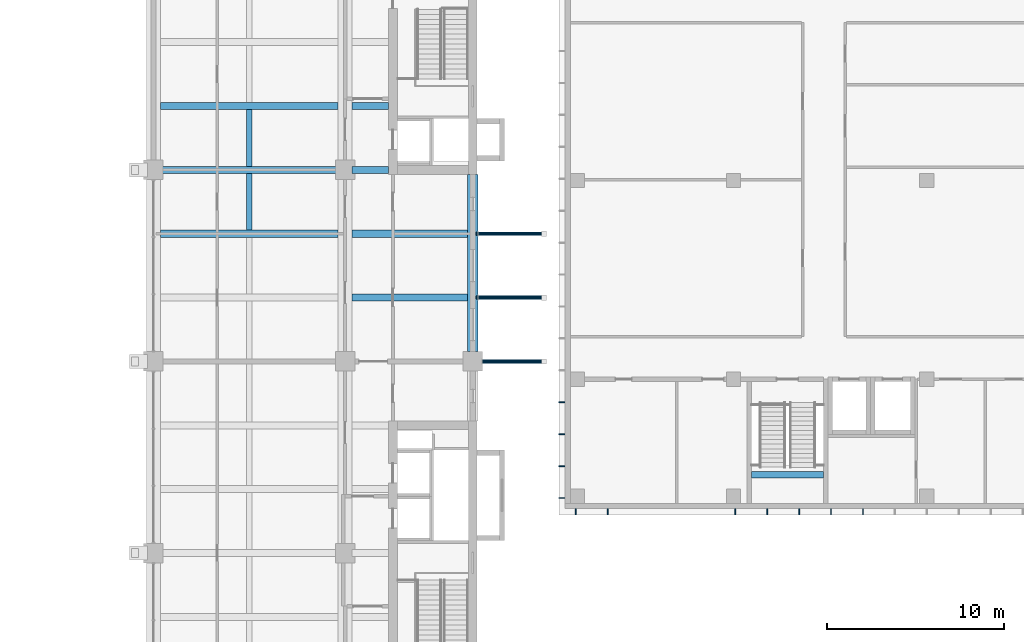
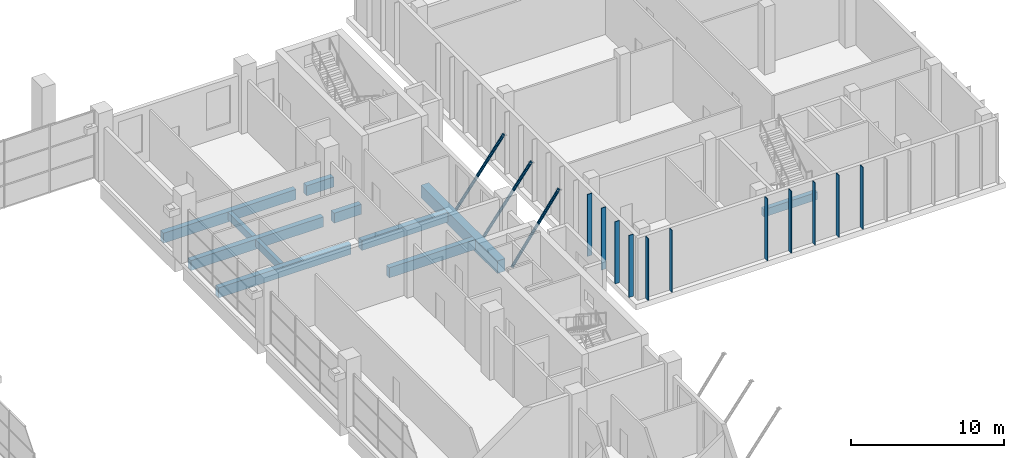
# One storey, part 9 of 38: 14 members, 11 beams.
"""IFC4 building model written with IfcOpenShell, lengths in metres."""

from ifc_helpers import new_model, si_unit, direction, frame, origin, origin_2d, place, context, subcontext, project, spatial, rectangle, hollow_circle, extrude, material, material_profile, profile_set, type_object, element, save


model = new_model("IFC4")

# Units and contexts
model_context = context("Model", 3, precision=1e-05, world=origin(), true_north=direction((0.0, 1.0)))
body_context = subcontext(model_context, "Body", "Model", "MODEL_VIEW")
ifc_project = project(units=[si_unit("LENGTHUNIT", "METRE"), si_unit("AREAUNIT", "SQUARE_METRE"), si_unit("VOLUMEUNIT", "CUBIC_METRE"), si_unit("PLANEANGLEUNIT", "RADIAN"), si_unit("MASSUNIT", "GRAM", prefix="KILO")], contexts=[model_context])

# Site, building, storey
site_placement = place(None, origin())
site = spatial("IfcSite", under=ifc_project, at=site_placement, CompositionType="ELEMENT")
building_placement = place(site_placement, origin())
building = spatial("IfcBuilding", under=site, at=building_placement, Name="Basin Gate Institute", CompositionType="ELEMENT")
storey_placement = place(building_placement, frame((0.0, 0.0, 16.800048828125)))
storey = spatial("IfcBuildingStorey", under=building, at=storey_placement, Name="L03", CompositionType="ELEMENT", Elevation=16.800048828125)

# Beams
ifc_material_1 = material(Name="Concrete 40 MPa", Category="concrete")
ifc_material_profile_1 = material_profile(ifc_material_1, rectangle(XDim=0.39990234375, YDim=0.800048828125, at=origin_2d()), Name="Beam B2 400 x 800")
ifc_profile_set_1 = profile_set([ifc_material_profile_1], Name="Concrete 40 MPa")
beam_type_1 = type_object("IfcBeamType", Name="Beam B2 R180", PredefinedType="BEAM", material=ifc_profile_set_1)
beam_1_placement = place(storey_placement, frame((118.5, 81.89990234375, -0.699951171875), z_axis=(-1.0, 0.0, 0.0), x_axis=(0.0, -1.0, 0.0)))
element("IfcBeam", 1, at=beam_1_placement, inside=storey, type_object=beam_type_1, material=ifc_profile_set_1, Name="BEAM/L03/E/OUT/14", PredefinedType="BEAM", context=body_context, shape_type="SweptSolid", body=[
    extrude(rectangle(XDim=0.39990234375, YDim=0.800048828125, at=origin_2d()), origin(), (0.0, 0.0, 1.0), 6.5),
])
beam_2_placement = place(storey_placement, frame((111.199951171875, 85.5, -0.699951171875), z_axis=(-1.0, 0.0, 0.0), x_axis=(0.0, -1.0, 0.0)))
element("IfcBeam", 2, at=beam_2_placement, inside=storey, type_object=beam_type_1, material=ifc_profile_set_1, Name="BEAM/L03/E/EW/15", PredefinedType="BEAM", context=body_context, shape_type="SweptSolid", body=[
    extrude(rectangle(XDim=0.39990234375, YDim=0.800048828125, at=origin_2d()), origin(), (0.0, 0.0, 1.0), 10.0),
])
beam_3_placement = place(storey_placement, frame((118.5, 85.5, -0.699951171875), z_axis=(-1.0, 0.0, 0.0), x_axis=(0.0, -1.0, 0.0)))
element("IfcBeam", 3, at=beam_3_placement, inside=storey, type_object=beam_type_1, material=ifc_profile_set_1, Name="BEAM/L03/E/OUT/15", PredefinedType="BEAM", context=body_context, shape_type="SweptSolid", body=[
    extrude(rectangle(XDim=0.39990234375, YDim=0.800048828125, at=origin_2d()), origin(), (0.0, 0.0, 1.0), 6.5),
])
beam_4_placement = place(storey_placement, frame((111.199951171875, 89.10009765625, -0.699951171875), z_axis=(-1.0, 0.0, 0.0), x_axis=(0.0, -1.0, 0.0)))
element("IfcBeam", 4, at=beam_4_placement, inside=storey, type_object=beam_type_1, material=ifc_profile_set_1, Name="BEAM/L03/E/EW/16", PredefinedType="BEAM", context=body_context, shape_type="SweptSolid", body=[
    extrude(rectangle(XDim=0.39990234375, YDim=0.800048828125, at=origin_2d()), origin(), (0.0, 0.0, 1.0), 10.0),
])
beam_5_placement = place(storey_placement, frame((114.050048828125, 89.10009765625, -0.699951171875), z_axis=(-1.0, 0.0, 0.0), x_axis=(0.0, -1.0, 0.0)))
element("IfcBeam", 5, at=beam_5_placement, inside=storey, type_object=beam_type_1, material=ifc_profile_set_1, Name="BEAM/L03/E/CORR/16", PredefinedType="BEAM", context=body_context, shape_type="SweptSolid", body=[
    extrude(rectangle(XDim=0.39990234375, YDim=0.800048828125, at=origin_2d()), origin(), (0.0, 0.0, 1.0), 2.050048828125),
])
beam_6_placement = place(storey_placement, frame((111.199951171875, 92.699951171875, -0.699951171875), z_axis=(-1.0, 0.0, 0.0), x_axis=(0.0, -1.0, 0.0)))
element("IfcBeam", 6, at=beam_6_placement, inside=storey, type_object=beam_type_1, material=ifc_profile_set_1, Name="BEAM/L03/E/EW/17", PredefinedType="BEAM", context=body_context, shape_type="SweptSolid", body=[
    extrude(rectangle(XDim=0.39990234375, YDim=0.800048828125, at=origin_2d()), origin(), (0.0, 0.0, 1.0), 10.0),
])
beam_7_placement = place(storey_placement, frame((114.050048828125, 92.699951171875, -0.699951171875), z_axis=(-1.0, 0.0, 0.0), x_axis=(0.0, -1.0, 0.0)))
element("IfcBeam", 7, at=beam_7_placement, inside=storey, type_object=beam_type_1, material=ifc_profile_set_1, Name="BEAM/L03/E/CORR/17", PredefinedType="BEAM", context=body_context, shape_type="SweptSolid", body=[
    extrude(rectangle(XDim=0.39990234375, YDim=0.800048828125, at=origin_2d()), origin(), (0.0, 0.0, 1.0), 2.050048828125),
])
ifc_material_2 = material(Name="Concrete 40 MPa", Category="concrete")
ifc_material_profile_2 = material_profile(ifc_material_2, rectangle(XDim=0.35009765625, YDim=0.60009765625, at=origin_2d()), Name="Beam B4 350 x 600")
ifc_profile_set_2 = profile_set([ifc_material_profile_2], Name="Concrete 40 MPa")
beam_type_2 = type_object("IfcBeamType", Name="Beam B4 R180", PredefinedType="BEAM", material=ifc_profile_set_2)
beam_8_placement = place(storey_placement, frame((134.52490234375, 71.916259765625, 2.199951171875), z_axis=(1.0, 0.0, 0.0), x_axis=(0.0, 1.0, 0.0)))
element("IfcBeam", 8, at=beam_8_placement, inside=storey, type_object=beam_type_2, material=ifc_profile_set_2, Name="Stair landing beam ST-C4 L03", PredefinedType="BEAM", context=body_context, shape_type="SweptSolid", body=[
    extrude(rectangle(XDim=0.35009765625, YDim=0.60009765625, at=origin_2d()), origin(), (0.0, 0.0, 1.0), 4.050048828125),
])

# Members
ifc_material_3 = material(Name="Structural steel SN490", Category="steel")
ifc_material_profile_3 = material_profile(ifc_material_3, hollow_circle(Radius=0.109619140625, WallThickness=0.008056640625, at=origin_2d()), Name="CHS219x8")
ifc_profile_set_3 = profile_set([ifc_material_profile_3], Name="Structural steel SN490")
member_type_1 = type_object("IfcMemberType", Name="Capsule bracket TD3", PredefinedType="BRACE", material=ifc_profile_set_3)
member_placement = place(storey_placement, frame((119.300048828125, 78.300048828125, -0.699951171875), z_axis=(0.578927213056, 0.0, 0.815379225871), x_axis=(0.0, 1.0, 0.0)))
element("IfcMember", 9, at=member_placement, inside=storey, type_object=member_type_1, material=ifc_profile_set_3, Name="Tray bracket E L04 tray 2.1", PredefinedType="BRACE", context=body_context, shape_type="SweptSolid", body=[
    extrude(hollow_circle(Radius=0.109619140625, WallThickness=0.008056640625, at=origin_2d()), origin(), (0.0, 0.0, 1.0), 6.132080078125),
])
for number, where, z_axis, x_axis, name in (
    (10, (119.050048828125, 81.89990234375, -0.699951171875), (0.605088195885, 0.0, 0.796158448552), (0.0, 1.0, 0.0), "Tray bracket E L04 tray 2.2"),
    (11, (119.050048828125, 85.5, -0.699951171875), (0.605088195885, 0.0, 0.796158448552), (0.0, 1.0, 0.0), "Tray bracket E L04 tray 2.3"),
):
    element("IfcMember", number, at=place(storey_placement, frame(where, z_axis=z_axis, x_axis=x_axis)), inside=storey, type_object=member_type_1, material=ifc_profile_set_3, Name=name, PredefinedType="BRACE", context=body_context, shape_type="SweptSolid", body=[
        extrude(hollow_circle(Radius=0.109619140625, WallThickness=0.008056640625, at=origin_2d()), origin(), (0.0, 0.0, 1.0), 6.2802734375),
    ])

# Beam
ifc_material_4 = material(Name="Concrete 50 MPa", Category="concrete")
ifc_material_profile_4 = material_profile(ifc_material_4, rectangle(XDim=0.60009765625, YDim=1.0, at=origin_2d()), Name="Edge beam EB2 600 x 1000")
ifc_profile_set_4 = profile_set([ifc_material_profile_4], Name="Concrete 50 MPa")
beam_type_3 = type_object("IfcBeamType", Name="Edge beam EB2 R180", PredefinedType="SPANDREL", material=ifc_profile_set_4)
beam_9_placement = place(storey_placement, frame((118.800048828125, 78.85009765625, -0.800048828125), z_axis=(0.0, 1.0, 0.0), x_axis=(-1.0, 0.0, 0.0)))
element("IfcBeam", 12, at=beam_9_placement, inside=storey, type_object=beam_type_3, material=ifc_profile_set_4, Name="BEAM/L03/E/EDGE/4", PredefinedType="SPANDREL", context=body_context, shape_type="SweptSolid", body=[
    extrude(rectangle(XDim=0.60009765625, YDim=1.0, at=origin_2d()), origin(), (0.0, 0.0, 1.0), 10.0),
])

# Members
ifc_material_5 = material(Name="Anodised aluminium", Category="aluminium")
ifc_material_profile_5 = material_profile(ifc_material_5, rectangle(XDim=0.050048828125, YDim=0.35009765625, at=origin_2d()), Name="Louvre fin CF1 50 x 350")
ifc_profile_set_5 = profile_set([ifc_material_profile_5], Name="Anodised aluminium")
member_type_2 = type_object("IfcMemberType", Name="Louvre fin CF1", PredefinedType="PLATE", material=ifc_profile_set_5)
for number, where, z_axis, x_axis, name in (
    (13, (124.60009765625, 69.824951171875, 0.0), (0.0, 0.0, 1.0), (1.0, 0.0, 0.0), "Louvre fin CF1 S1 L03"),
    (14, (126.39990234375, 69.824951171875, 0.0), (0.0, 0.0, 1.0), (1.0, 0.0, 0.0), "Louvre fin CF1 S2 L03"),
    (15, (133.60009765625, 69.824951171875, 0.0), (0.0, 0.0, 1.0), (1.0, 0.0, 0.0), "Louvre fin CF1 S6 L03"),
    (16, (135.39990234375, 69.824951171875, 0.0), (0.0, 0.0, 1.0), (1.0, 0.0, 0.0), "Louvre fin CF1 S7 L03"),
    (17, (137.199951171875, 69.824951171875, 0.0), (0.0, 0.0, 1.0), (1.0, 0.0, 0.0), "Louvre fin CF1 S8 L03"),
    (18, (139.0, 69.824951171875, 0.0), (0.0, 0.0, 1.0), (1.0, 0.0, 0.0), "Louvre fin CF1 S9 L03"),
    (19, (140.800048828125, 69.824951171875, 0.0), (0.0, 0.0, 1.0), (1.0, 0.0, 0.0), "Louvre fin CF1 S10 L03"),
    (20, (123.824951171875, 70.60009765625, 0.0), (0.0, 0.0, 1.0), (0.0, 1.0, 0.0), "Louvre fin CF1 W1 L03"),
    (21, (123.824951171875, 72.39990234375, 0.0), (0.0, 0.0, 1.0), (0.0, 1.0, 0.0), "Louvre fin CF1 W2 L03"),
    (22, (123.824951171875, 74.199951171875, 0.0), (0.0, 0.0, 1.0), (0.0, 1.0, 0.0), "Louvre fin CF1 W3 L03"),
    (23, (123.824951171875, 76.0, 0.0), (0.0, 0.0, 1.0), (0.0, 1.0, 0.0), "Louvre fin CF1 W4 L03"),
):
    element("IfcMember", number, at=place(storey_placement, frame(where, z_axis=z_axis, x_axis=x_axis)), inside=storey, type_object=member_type_2, material=ifc_profile_set_5, Name=name, PredefinedType="PLATE", context=body_context, shape_type="SweptSolid", body=[
        extrude(rectangle(XDim=0.050048828125, YDim=0.35009765625, at=origin_2d()), origin(), (0.0, 0.0, 1.0), 4.949951171875),
    ])

# Beams
ifc_material_6 = material(Name="Concrete 40 MPa", Category="concrete")
ifc_material_profile_6 = material_profile(ifc_material_6, rectangle(XDim=0.300048828125, YDim=0.60009765625, at=origin_2d()), Name="Rib R2 300 x 600")
ifc_profile_set_6 = profile_set([ifc_material_profile_6], Name="Concrete 40 MPa")
beam_type_4 = type_object("IfcBeamType", Name="Rib R2 R180", PredefinedType="JOIST", material=ifc_profile_set_6)
for number, where, z_axis, x_axis, name in (
    (24, (106.199951171875, 85.699951171875, -0.60009765625), (0.0, 1.0, 0.0), (-1.0, 0.0, 0.0), "BEAM/L03/E/RIB/15"),
    (25, (106.199951171875, 89.300048828125, -0.60009765625), (0.0, 1.0, 0.0), (-1.0, 0.0, 0.0), "BEAM/L03/E/RIB/16"),
):
    element("IfcBeam", number, at=place(storey_placement, frame(where, z_axis=z_axis, x_axis=x_axis)), inside=storey, type_object=beam_type_4, material=ifc_profile_set_6, Name=name, PredefinedType="JOIST", context=body_context, shape_type="SweptSolid", body=[
        extrude(rectangle(XDim=0.300048828125, YDim=0.60009765625, at=origin_2d()), origin(), (0.0, 0.0, 1.0), 3.199951171875),
    ])

save(model, "model.ifc")
